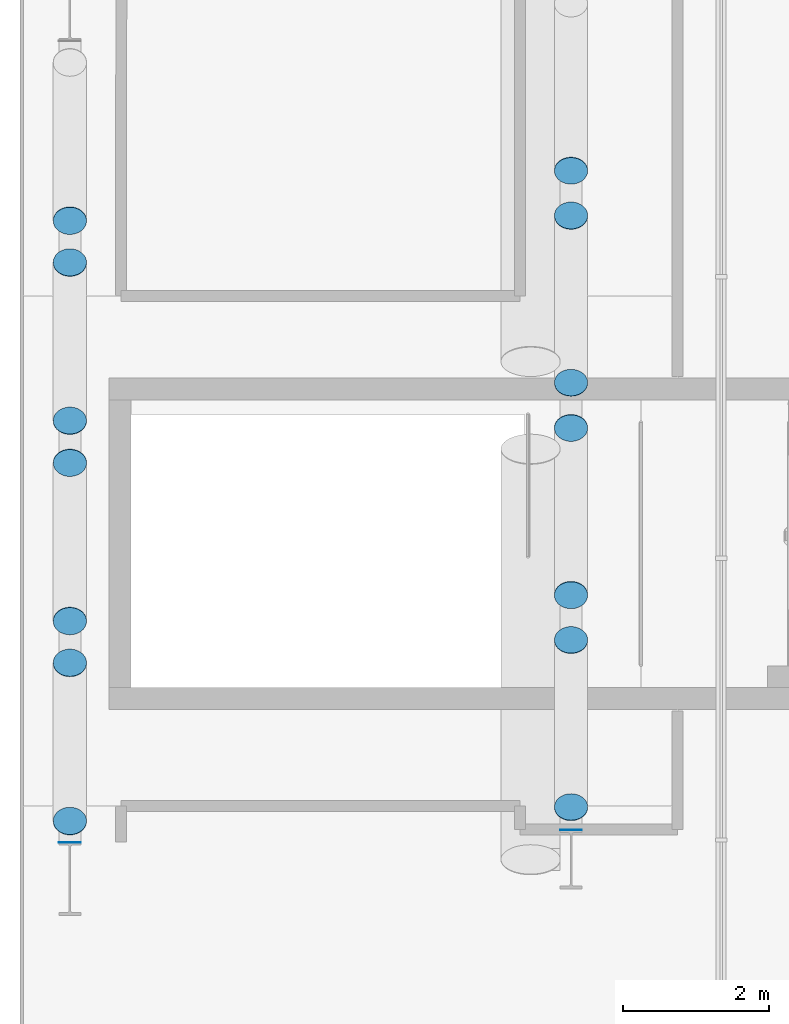
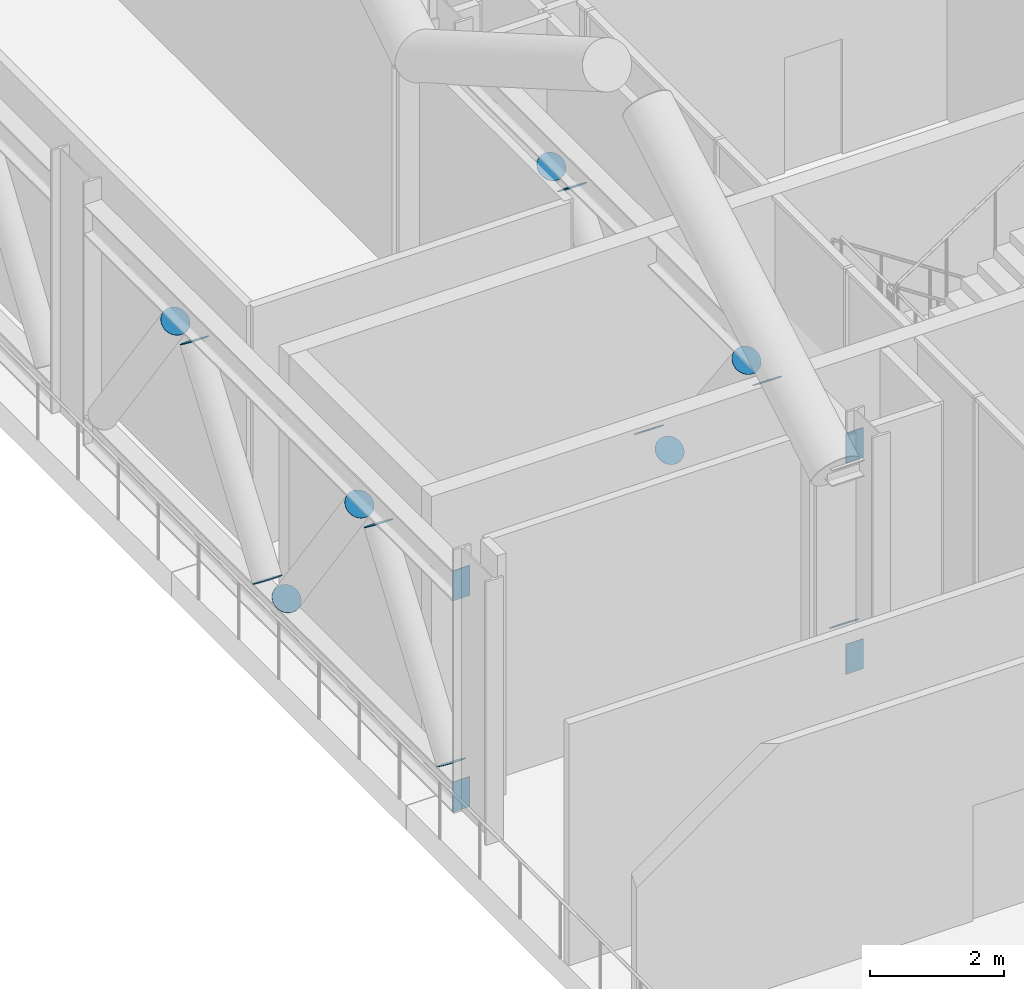
# One storey, part 27 of 39: 18 discrete accessories.
"""IFC4 building model written with IfcOpenShell, lengths in metres."""

from ifc_helpers import new_model, si_unit, direction, frame, origin, origin_2d, place, context, subcontext, project, spatial, rectangle, circle, extrude, material, material_profile, profile_set, type_object, element, save


model = new_model("IFC4")

# Units and contexts
model_context = context("Model", 3, precision=1e-05, world=origin(), true_north=direction((0.0, 1.0)))
body_context = subcontext(model_context, "Body", "Model", "MODEL_VIEW")
ifc_project = project(units=[si_unit("LENGTHUNIT", "METRE"), si_unit("AREAUNIT", "SQUARE_METRE"), si_unit("VOLUMEUNIT", "CUBIC_METRE"), si_unit("PLANEANGLEUNIT", "RADIAN"), si_unit("MASSUNIT", "GRAM", prefix="KILO")], contexts=[model_context])

# Site, building, storey
site_placement = place(None, origin())
site = spatial("IfcSite", under=ifc_project, at=site_placement, CompositionType="ELEMENT")
building_placement = place(site_placement, origin())
building = spatial("IfcBuilding", under=site, at=building_placement, Name="Wharfspan Tower", CompositionType="ELEMENT")
storey_placement = place(building_placement, frame((0.0, 0.0, 91.899902)))
storey = spatial("IfcBuildingStorey", under=building, at=storey_placement, Name="L20", CompositionType="ELEMENT", Elevation=91.899902)

# Discrete accessories
ifc_material_1 = material(Name="Steel S460NH", Category="steel")
ifc_material_profile_1 = material_profile(ifc_material_1, circle(Radius=0.228516, at=origin_2d()))
ifc_profile_set_1 = profile_set([ifc_material_profile_1], Name="Steel S460NH")
discrete_accessory_type_1 = type_object("IfcDiscreteAccessoryType", Name="End plate CHS 457x16", PredefinedType="BRACKET", material=ifc_profile_set_1)
for number, where, z_axis, x_axis, name in (
    (1, (7.540039, 27.725586, 3.712158), (0.0, -0.603858, 0.797092), (1.0, 0.0, 0.0), "End plate CHS 457x16"),
    (2, (7.540039, 27.106689, 3.720215), (0.0, -0.588172, -0.808736), (1.0, 0.0, 0.0), "End plate CHS 457x16"),
    (3, (7.540039, 24.8125, 0.687988), (0.0, -0.603858, -0.797092), (1.0, 0.0, 0.0), "End plate CHS 457x16"),
    (4, (7.540039, 24.193604, 0.679932), (0.0, -0.603858, 0.797092), (1.0, 0.0, 0.0), "End plate CHS 457x16"),
    (5, (7.540039, 21.89917, 3.712158), (0.0, -0.588172, 0.808736), (1.0, 0.0, 0.0), "End plate CHS 457x16"),
    (6, (7.540039, 21.280518, 3.720215), (0.0, -0.603858, -0.797092), (1.0, 0.0, 0.0), "End plate CHS 457x16"),
    (7, (7.540039, 18.986084, 0.687988), (0.0, -0.603858, -0.797092), (1.0, 0.0, 0.0), "End plate CHS 457x16"),
):
    element("IfcDiscreteAccessory", number, at=place(storey_placement, frame(where, z_axis=z_axis, x_axis=x_axis)), inside=storey, type_object=discrete_accessory_type_1, Name=name, PredefinedType="BRACKET", context=body_context, shape_type="SweptSolid", body=[
        extrude(circle(Radius=0.228516, at=origin_2d()), origin(), (0.0, 0.0, 1.0), 0.01001),
    ])
for number, where, z_axis, x_axis, name in (
    (8, (0.659912, 27.039062, 3.717285), (0.0, -0.576683, 0.816968), (1.0, 0.0, 0.0), "End plate CHS 457x16"),
    (9, (0.659912, 26.462891, 3.725586), (0.0, -0.576683, -0.816968), (1.0, 0.0, 0.0), "End plate CHS 457x16"),
):
    element("IfcDiscreteAccessory", number, at=place(storey_placement, frame(where, z_axis=z_axis, x_axis=x_axis)), inside=storey, type_object=discrete_accessory_type_1, Name=name, PredefinedType="BRACKET", context=body_context, shape_type="SweptSolid", body=[
        extrude(circle(Radius=0.228516, at=origin_2d()), origin(), (0.0, 0.0, 1.0), 0.010254),
    ])
for number, where, z_axis, x_axis, name in (
    (10, (0.659912, 24.291016, 0.682861), (0.0, -0.588172, -0.808736), (1.0, 0.0, 0.0), "End plate CHS 457x16"),
    (11, (0.659912, 23.714844, 0.674805), (0.0, -0.588172, 0.808736), (1.0, 0.0, 0.0), "End plate CHS 457x16"),
):
    element("IfcDiscreteAccessory", number, at=place(storey_placement, frame(where, z_axis=z_axis, x_axis=x_axis)), inside=storey, type_object=discrete_accessory_type_1, Name=name, PredefinedType="BRACKET", context=body_context, shape_type="SweptSolid", body=[
        extrude(circle(Radius=0.228516, at=origin_2d()), origin(), (0.0, 0.0, 1.0), 0.01001),
    ])
for number, where, z_axis, x_axis, name in (
    (12, (0.659912, 21.542969, 3.717285), (0.0, -0.576683, 0.816968), (1.0, 0.0, 0.0), "End plate CHS 457x16"),
    (13, (0.659912, 20.966797, 3.725586), (0.0, -0.576683, -0.816968), (1.0, 0.0, 0.0), "End plate CHS 457x16"),
):
    element("IfcDiscreteAccessory", number, at=place(storey_placement, frame(where, z_axis=z_axis, x_axis=x_axis)), inside=storey, type_object=discrete_accessory_type_1, Name=name, PredefinedType="BRACKET", context=body_context, shape_type="SweptSolid", body=[
        extrude(circle(Radius=0.228516, at=origin_2d()), origin(), (0.0, 0.0, 1.0), 0.010254),
    ])
discrete_accessory_placement = place(storey_placement, frame((0.659912, 18.794922, 0.682861), z_axis=(0.0, -0.571793, -0.820398), x_axis=(1.0, 0.0, 0.0)))
element("IfcDiscreteAccessory", 14, at=discrete_accessory_placement, inside=storey, type_object=discrete_accessory_type_1, Name="End plate CHS 457x16", PredefinedType="BRACKET", context=body_context, shape_type="SweptSolid", body=[
    extrude(circle(Radius=0.228516, at=origin_2d()), origin(), (0.0, 0.0, 1.0), 0.009766),
])
ifc_material_2 = material(Name="Steel S355J2", Category="steel")
ifc_material_profile_2 = material_profile(ifc_material_2, rectangle(XDim=0.300049, YDim=0.550049, at=origin_2d()))
ifc_profile_set_2 = profile_set([ifc_material_profile_2], Name="Steel S355J2")
discrete_accessory_type_2 = type_object("IfcDiscreteAccessoryType", Name="End plate HEB 550", PredefinedType="BRACKET", material=ifc_profile_set_2)
for number, where, z_axis, x_axis, name in (
    (15, (7.540039, 18.673584, 4.125), (0.0, -1.0, 0.0), (1.0, 0.0, 0.0), "End plate HEB 550"),
    (16, (7.540039, 18.673584, 0.275146), (0.0, -1.0, 0.0), (1.0, 0.0, 0.0), "End plate HEB 550"),
    (17, (0.659912, 18.503906, 4.125), (0.0, -1.0, 0.0), (1.0, 0.0, 0.0), "End plate HEB 550"),
    (18, (0.659912, 18.503906, 0.275146), (0.0, -1.0, 0.0), (1.0, 0.0, 0.0), "End plate HEB 550"),
):
    element("IfcDiscreteAccessory", number, at=place(storey_placement, frame(where, z_axis=z_axis, x_axis=x_axis)), inside=storey, type_object=discrete_accessory_type_2, Name=name, PredefinedType="BRACKET", context=body_context, shape_type="SweptSolid", body=[
        extrude(rectangle(XDim=0.300049, YDim=0.550049, at=origin_2d()), origin(), (0.0, 0.0, 1.0), 0.01001),
    ])

save(model, "model.ifc")
